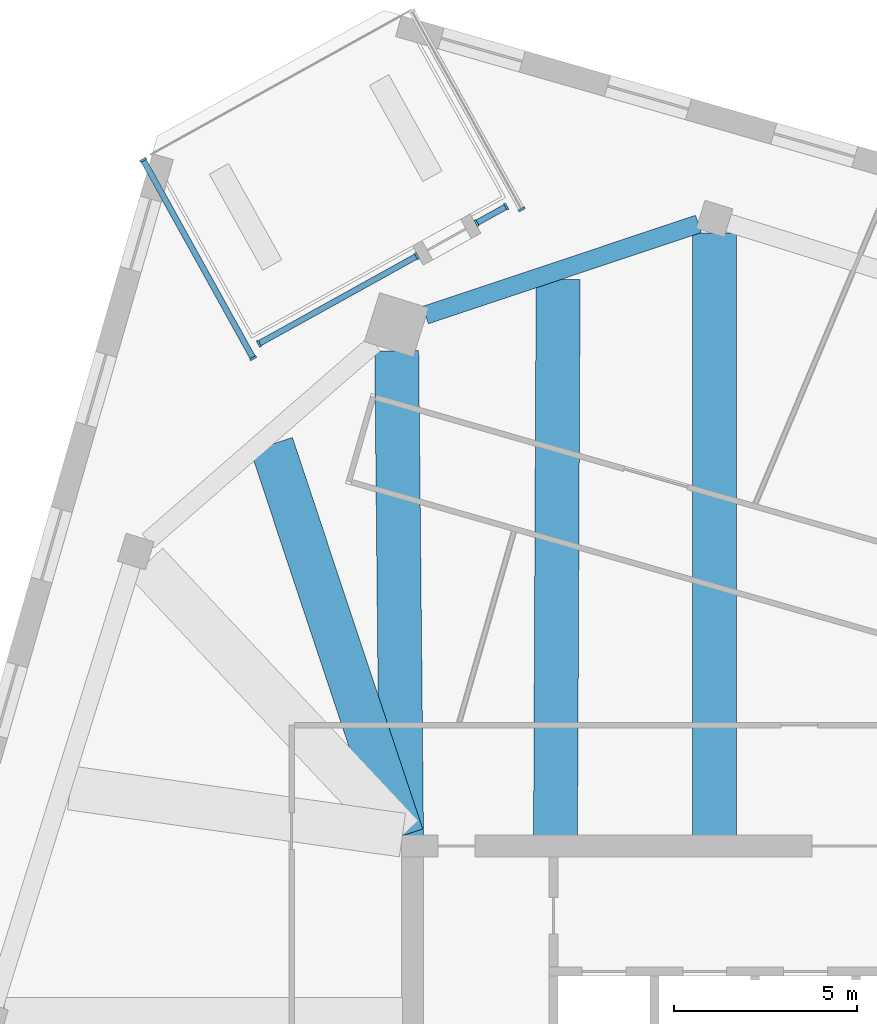
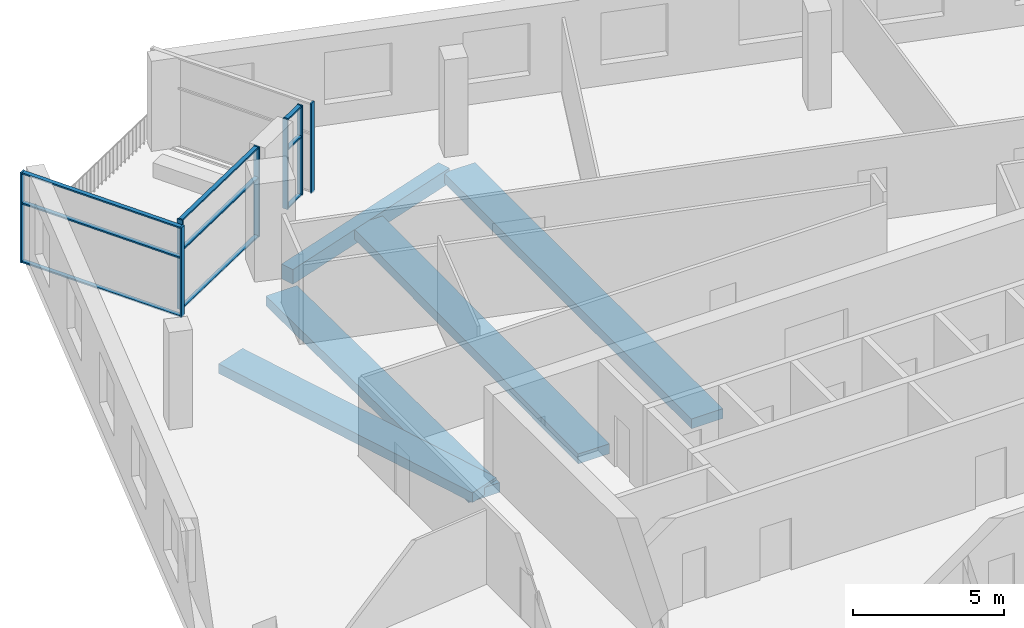
# One storey, part 2 of 15: 16 members, 5 beams, 4 elements without a shape of their own.
"""IFC4 building model written with IfcOpenShell, lengths in metres."""

from ifc_helpers import new_model, si_unit, direction, frame, origin, origin_2d, place, context, subcontext, project, spatial, rectangle, extrude, material, material_profile, profile_set, type_object, element, aggregate, save


model = new_model("IFC4")

# Units and contexts
model_context = context("Model", 3, precision=1e-05, world=origin(), true_north=direction((0.0, 1.0)))
body_context = subcontext(model_context, "Body", "Model", "MODEL_VIEW")
ifc_project = project(units=[si_unit("LENGTHUNIT", "METRE"), si_unit("AREAUNIT", "SQUARE_METRE"), si_unit("VOLUMEUNIT", "CUBIC_METRE"), si_unit("PLANEANGLEUNIT", "RADIAN"), si_unit("MASSUNIT", "GRAM", prefix="KILO")], contexts=[model_context])

# Site, building, storey
site_placement = place(None, origin())
site = spatial("IfcSite", under=ifc_project, at=site_placement, CompositionType="ELEMENT")
building_placement = place(site_placement, origin())
building = spatial("IfcBuilding", under=site, at=building_placement, Name="Dilmun Exchange Tower", CompositionType="ELEMENT")
storey_placement = place(building_placement, frame((0.0, 0.0, 324.5)))
storey = spatial("IfcBuildingStorey", under=building, at=storey_placement, Name="L77", CompositionType="ELEMENT", Elevation=324.5)

# Curtain wall, member
ifc_material_1 = material(Name="Anodised aluminium and clear glass", Category="aluminium")
curtain_wall_type = type_object("IfcCurtainWallType", Name="Garden corner glazing", PredefinedType="NOTDEFINED", material=ifc_material_1)
curtain_wall_1_placement = place(storey_placement, origin())
curtain_wall_1 = element("IfcCurtainWall", 1, at=curtain_wall_1_placement, inside=storey, type_object=curtain_wall_type, Name="Garden corner glazing run GC1.1", PredefinedType="NOTDEFINED")
ifc_material_2 = material(Name="Anodised aluminium", Category="aluminium")
ifc_material_profile_1 = material_profile(ifc_material_2, rectangle(XDim=0.199951171875, YDim=0.06005859375, at=origin_2d()), Name="AL 60x200")
ifc_profile_set_1 = profile_set([ifc_material_profile_1], Name="Anodised aluminium")
member_type_1 = type_object("IfcMemberType", Name="Garden corner glazing mullion 60 x 200", PredefinedType="MULLION", material=ifc_profile_set_1)
member_1_placement = place(storey_placement, frame((-9.121826171875, 29.472412109375, 0.0), z_axis=(0.0, 0.0, 1.0), x_axis=(0.87462355202, 0.484802683833, 0.0)))
member_1 = element("IfcMember", 2, at=member_1_placement, type_object=member_type_1, Name="GC1.1 mullion 2", PredefinedType="MULLION", context=body_context, shape_type="SweptSolid", body=[
    extrude(rectangle(XDim=0.199951171875, YDim=0.06005859375, at=origin_2d()), origin(), (0.0, 0.0, 1.0), 3.64990234375),
])
aggregate(curtain_wall_1, [member_1])

# Curtain wall, members
curtain_wall_2_placement = place(storey_placement, origin())
curtain_wall_2 = element("IfcCurtainWall", 3, at=curtain_wall_2_placement, inside=storey, type_object=curtain_wall_type, Name="Garden corner glazing run GC2.1", PredefinedType="NOTDEFINED")
member_2_placement = place(storey_placement, frame((-9.541259765625, 29.548583984375, 0.0), z_axis=(0.0, 0.0, 1.0), x_axis=(0.484784283481, -0.874633751058, 0.0)))
member_2 = element("IfcMember", 4, at=member_2_placement, type_object=member_type_1, Name="GC2.1 mullion 1", PredefinedType="MULLION", context=body_context, shape_type="SweptSolid", body=[
    extrude(rectangle(XDim=0.199951171875, YDim=0.06005859375, at=origin_2d()), origin(), (0.0, 0.0, 1.0), 3.64990234375),
])
member_3_placement = place(storey_placement, frame((-10.35400390625, 29.09814453125, 0.0), z_axis=(0.0, 0.0, 1.0), x_axis=(0.484784283481, -0.874633751058, 0.0)))
member_3 = element("IfcMember", 5, at=member_3_placement, type_object=member_type_1, Name="GC2.1 mullion 2", PredefinedType="MULLION", context=body_context, shape_type="SweptSolid", body=[
    extrude(rectangle(XDim=0.199951171875, YDim=0.06005859375, at=origin_2d()), origin(), (0.0, 0.0, 1.0), 3.64990234375),
])

curtain_wall_3_placement = place(storey_placement, origin())
curtain_wall_3 = element("IfcCurtainWall", 6, at=curtain_wall_3_placement, inside=storey, type_object=curtain_wall_type, Name="Garden corner glazing run GC2.3", PredefinedType="NOTDEFINED")
member_4_placement = place(storey_placement, frame((-11.980712890625, 28.196533203125, 0.0), z_axis=(0.0, 0.0, 1.0), x_axis=(0.484812230299, -0.874618260359, 0.0)))
member_4 = element("IfcMember", 7, at=member_4_placement, type_object=member_type_1, Name="GC2.3 mullion 1", PredefinedType="MULLION", context=body_context, shape_type="SweptSolid", body=[
    extrude(rectangle(XDim=0.199951171875, YDim=0.06005859375, at=origin_2d()), origin(), (0.0, 0.0, 1.0), 3.64990234375),
])
member_5_placement = place(storey_placement, frame((-16.291748046875, 25.806640625, 0.0), z_axis=(0.0, 0.0, 1.0), x_axis=(0.484812230299, -0.874618260359, 0.0)))
member_5 = element("IfcMember", 8, at=member_5_placement, type_object=member_type_1, Name="GC2.3 mullion 2", PredefinedType="MULLION", context=body_context, shape_type="SweptSolid", body=[
    extrude(rectangle(XDim=0.199951171875, YDim=0.06005859375, at=origin_2d()), origin(), (0.0, 0.0, 1.0), 3.64990234375),
])

curtain_wall_4_placement = place(storey_placement, origin())
curtain_wall_4 = element("IfcCurtainWall", 9, at=curtain_wall_4_placement, inside=storey, type_object=curtain_wall_type, Name="Garden corner glazing run GC3.1", PredefinedType="NOTDEFINED")
member_6_placement = place(storey_placement, frame((-16.449462890625, 25.41064453125, 0.0), z_axis=(0.0, 0.0, 1.0), x_axis=(-0.87462355202, -0.484802683833, 0.0)))
member_6 = element("IfcMember", 10, at=member_6_placement, type_object=member_type_1, Name="GC3.1 mullion 1", PredefinedType="MULLION", context=body_context, shape_type="SweptSolid", body=[
    extrude(rectangle(XDim=0.199951171875, YDim=0.06005859375, at=origin_2d()), origin(), (0.0, 0.0, 1.0), 3.64990234375),
])
member_7_placement = place(storey_placement, frame((-19.44873046875, 30.821533203125, 0.0), z_axis=(0.0, 0.0, 1.0), x_axis=(-0.87462355202, -0.484802683833, 0.0)))
member_7 = element("IfcMember", 11, at=member_7_placement, type_object=member_type_1, Name="GC3.1 mullion 2", PredefinedType="MULLION", context=body_context, shape_type="SweptSolid", body=[
    extrude(rectangle(XDim=0.199951171875, YDim=0.06005859375, at=origin_2d()), origin(), (0.0, 0.0, 1.0), 3.64990234375),
])

# Member
ifc_material_profile_2 = material_profile(ifc_material_2, rectangle(XDim=0.159912109375, YDim=0.06005859375, at=origin_2d()), Name="AL 60x160")
ifc_profile_set_2 = profile_set([ifc_material_profile_2], Name="Anodised aluminium")
member_type_2 = type_object("IfcMemberType", Name="Garden corner glazing transom 60 x 160", PredefinedType="USERDEFINED", material=ifc_profile_set_2)
member_8_placement = place(storey_placement, frame((-9.567626953125, 29.5341796875, 0.030029296875), z_axis=(-0.874567772585, -0.484903300829, 0.0), x_axis=(0.484903300829, -0.874567772585, 0.0)))
member_8 = element("IfcMember", 12, at=member_8_placement, type_object=member_type_2, Name="GC2.1 transom 1.1", ObjectType="TRANSOM", PredefinedType="USERDEFINED", context=body_context, shape_type="SweptSolid", body=[
    extrude(rectangle(XDim=0.159912109375, YDim=0.06005859375, at=origin_2d()), origin(), (0.0, 0.0, 1.0), 0.868896484375),
])

member_9_placement = place(storey_placement, frame((-9.567626953125, 29.5341796875, 2.39990234375), z_axis=(-0.874567772585, -0.484903300829, 0.0), x_axis=(0.484903300829, -0.874567772585, 0.0)))
member_9 = element("IfcMember", 13, at=member_9_placement, type_object=member_type_2, Name="GC2.1 transom 1.2", ObjectType="TRANSOM", PredefinedType="USERDEFINED", context=body_context, shape_type="SweptSolid", body=[
    extrude(rectangle(XDim=0.159912109375, YDim=0.06005859375, at=origin_2d()), origin(), (0.0, 0.0, 1.0), 0.868896484375),
])

member_10_placement = place(storey_placement, frame((-9.567626953125, 29.5341796875, 3.6201171875), z_axis=(-0.874567772585, -0.484903300829, 0.0), x_axis=(0.484903300829, -0.874567772585, 0.0)))
member_10 = element("IfcMember", 14, at=member_10_placement, type_object=member_type_2, Name="GC2.1 transom 1.3", ObjectType="TRANSOM", PredefinedType="USERDEFINED", context=body_context, shape_type="SweptSolid", body=[
    extrude(rectangle(XDim=0.159912109375, YDim=0.06005859375, at=origin_2d()), origin(), (0.0, 0.0, 1.0), 0.868896484375),
])

aggregate(curtain_wall_2, [member_2, member_3, member_8, member_9, member_10])

member_11_placement = place(storey_placement, frame((-12.007080078125, 28.181884765625, 0.030029296875), z_axis=(-0.874615726694, -0.48481680109, 0.0), x_axis=(0.48481680109, -0.874615726694, 0.0)))
member_11 = element("IfcMember", 15, at=member_11_placement, type_object=member_type_2, Name="GC2.3 transom 1.1", ObjectType="TRANSOM", PredefinedType="USERDEFINED", context=body_context, shape_type="SweptSolid", body=[
    extrude(rectangle(XDim=0.159912109375, YDim=0.06005859375, at=origin_2d()), origin(), (0.0, 0.0, 1.0), 4.869140625),
])

member_12_placement = place(storey_placement, frame((-12.007080078125, 28.181884765625, 2.39990234375), z_axis=(-0.874615726694, -0.48481680109, 0.0), x_axis=(0.48481680109, -0.874615726694, 0.0)))
member_12 = element("IfcMember", 16, at=member_12_placement, type_object=member_type_2, Name="GC2.3 transom 1.2", ObjectType="TRANSOM", PredefinedType="USERDEFINED", context=body_context, shape_type="SweptSolid", body=[
    extrude(rectangle(XDim=0.159912109375, YDim=0.06005859375, at=origin_2d()), origin(), (0.0, 0.0, 1.0), 4.869140625),
])

member_13_placement = place(storey_placement, frame((-12.007080078125, 28.181884765625, 3.6201171875), z_axis=(-0.874615726694, -0.48481680109, 0.0), x_axis=(0.48481680109, -0.874615726694, 0.0)))
member_13 = element("IfcMember", 17, at=member_13_placement, type_object=member_type_2, Name="GC2.3 transom 1.3", ObjectType="TRANSOM", PredefinedType="USERDEFINED", context=body_context, shape_type="SweptSolid", body=[
    extrude(rectangle(XDim=0.159912109375, YDim=0.06005859375, at=origin_2d()), origin(), (0.0, 0.0, 1.0), 4.869140625),
])

aggregate(curtain_wall_3, [member_4, member_5, member_11, member_12, member_13])

member_14_placement = place(storey_placement, frame((-16.464111328125, 25.436767578125, 0.030029296875), z_axis=(-0.484810380462, 0.874619285745, 0.0), x_axis=(-0.874619285745, -0.484810380462, 0.0)))
member_14 = element("IfcMember", 18, at=member_14_placement, type_object=member_type_2, Name="GC3.1 transom 1.1", ObjectType="TRANSOM", PredefinedType="USERDEFINED", context=body_context, shape_type="SweptSolid", body=[
    extrude(rectangle(XDim=0.159912109375, YDim=0.06005859375, at=origin_2d()), origin(), (0.0, 0.0, 1.0), 6.12646484375),
])

member_15_placement = place(storey_placement, frame((-16.464111328125, 25.436767578125, 2.39990234375), z_axis=(-0.484810380462, 0.874619285745, 0.0), x_axis=(-0.874619285745, -0.484810380462, 0.0)))
member_15 = element("IfcMember", 19, at=member_15_placement, type_object=member_type_2, Name="GC3.1 transom 1.2", ObjectType="TRANSOM", PredefinedType="USERDEFINED", context=body_context, shape_type="SweptSolid", body=[
    extrude(rectangle(XDim=0.159912109375, YDim=0.06005859375, at=origin_2d()), origin(), (0.0, 0.0, 1.0), 6.12646484375),
])

member_16_placement = place(storey_placement, frame((-16.464111328125, 25.436767578125, 3.6201171875), z_axis=(-0.484810380462, 0.874619285745, 0.0), x_axis=(-0.874619285745, -0.484810380462, 0.0)))
member_16 = element("IfcMember", 20, at=member_16_placement, type_object=member_type_2, Name="GC3.1 transom 1.3", ObjectType="TRANSOM", PredefinedType="USERDEFINED", context=body_context, shape_type="SweptSolid", body=[
    extrude(rectangle(XDim=0.159912109375, YDim=0.06005859375, at=origin_2d()), origin(), (0.0, 0.0, 1.0), 6.12646484375),
])

aggregate(curtain_wall_4, [member_6, member_7, member_14, member_15, member_16])

# Beams
ifc_material_3 = material(Name="Concrete C40/50", Category="concrete")
ifc_material_profile_3 = material_profile(ifc_material_3, rectangle(XDim=1.199951171875, YDim=0.39990234375, at=origin_2d()), Name="1200 x 400")
ifc_profile_set_3 = profile_set([ifc_material_profile_3], Name="Concrete C40/50")
beam_type_1 = type_object("IfcBeamType", Name="RC band beam 1200 x 400 C40/50", PredefinedType="BEAM", material=ifc_profile_set_3)
beam_1_placement = place(storey_placement, frame((-12.530029296875, 25.613525390625, -0.64990234375), z_axis=(0.009845926203, -0.999951527694, 0.0), x_axis=(0.999951527694, 0.009845926203, 0.0)))
element("IfcBeam", 21, at=beam_1_placement, inside=storey, type_object=beam_type_1, Name="Band beam 1", PredefinedType="BEAM", context=body_context, shape_type="SweptSolid", body=[
    extrude(rectangle(XDim=1.199951171875, YDim=0.39990234375, at=origin_2d()), origin(), (0.0, 0.0, 1.0), 13.2412109375),
])
beam_2_placement = place(storey_placement, frame((-3.85595703125, 28.827880859375, -0.64990234375), z_axis=(0.0, -1.0, 0.0), x_axis=(1.0, 0.0, 0.0)))
element("IfcBeam", 22, at=beam_2_placement, inside=storey, type_object=beam_type_1, Name="Band beam 16", PredefinedType="BEAM", context=body_context, shape_type="SweptSolid", body=[
    extrude(rectangle(XDim=1.199951171875, YDim=0.39990234375, at=origin_2d()), origin(), (0.0, 0.0, 1.0), 16.454833984375),
])
beam_3_placement = place(storey_placement, frame((-15.947021484375, 23.059326171875, -0.550048828125), z_axis=(0.315752926282, -0.948841445946, 0.0), x_axis=(0.948841445946, 0.315752926282, 0.0)))
element("IfcBeam", 23, at=beam_3_placement, inside=storey, type_object=beam_type_1, Name="Band beam 17", PredefinedType="BEAM", context=body_context, shape_type="SweptSolid", body=[
    extrude(rectangle(XDim=1.199951171875, YDim=0.39990234375, at=origin_2d()), origin(), (0.0, 0.0, 1.0), 11.260986328125),
])
beam_4_placement = place(storey_placement, frame((-8.1259765625, 27.5595703125, -0.550048828125), z_axis=(-0.00464595333, -0.999989207501, 0.0), x_axis=(0.999989207501, -0.00464595333, 0.0)))
element("IfcBeam", 24, at=beam_4_placement, inside=storey, type_object=beam_type_1, Name="Band beam 32", PredefinedType="BEAM", context=body_context, shape_type="SweptSolid", body=[
    extrude(rectangle(XDim=1.199951171875, YDim=0.39990234375, at=origin_2d()), origin(), (0.0, 0.0, 1.0), 15.186767578125),
])
ifc_material_profile_4 = material_profile(ifc_material_3, rectangle(XDim=0.5, YDim=0.60009765625, at=origin_2d()), Name="500 x 600")
ifc_profile_set_4 = profile_set([ifc_material_profile_4], Name="Concrete C40/50")
beam_type_2 = type_object("IfcBeamType", Name="RC ring beam 500 x 600 C40/50", PredefinedType="SPANDREL", material=ifc_profile_set_4)
beam_5_placement = place(storey_placement, frame((-4.298095703125, 29.072509765625, -0.64990234375), z_axis=(-0.94854014246, -0.316656909198, 0.0), x_axis=(0.316656909198, -0.94854014246, 0.0)))
element("IfcBeam", 25, at=beam_5_placement, inside=storey, type_object=beam_type_2, Name="Ring beam 16", PredefinedType="SPANDREL", context=body_context, shape_type="SweptSolid", body=[
    extrude(rectangle(XDim=0.5, YDim=0.60009765625, at=origin_2d()), origin(), (0.0, 0.0, 1.0), 7.850341796875),
])

save(model, "model.ifc")
